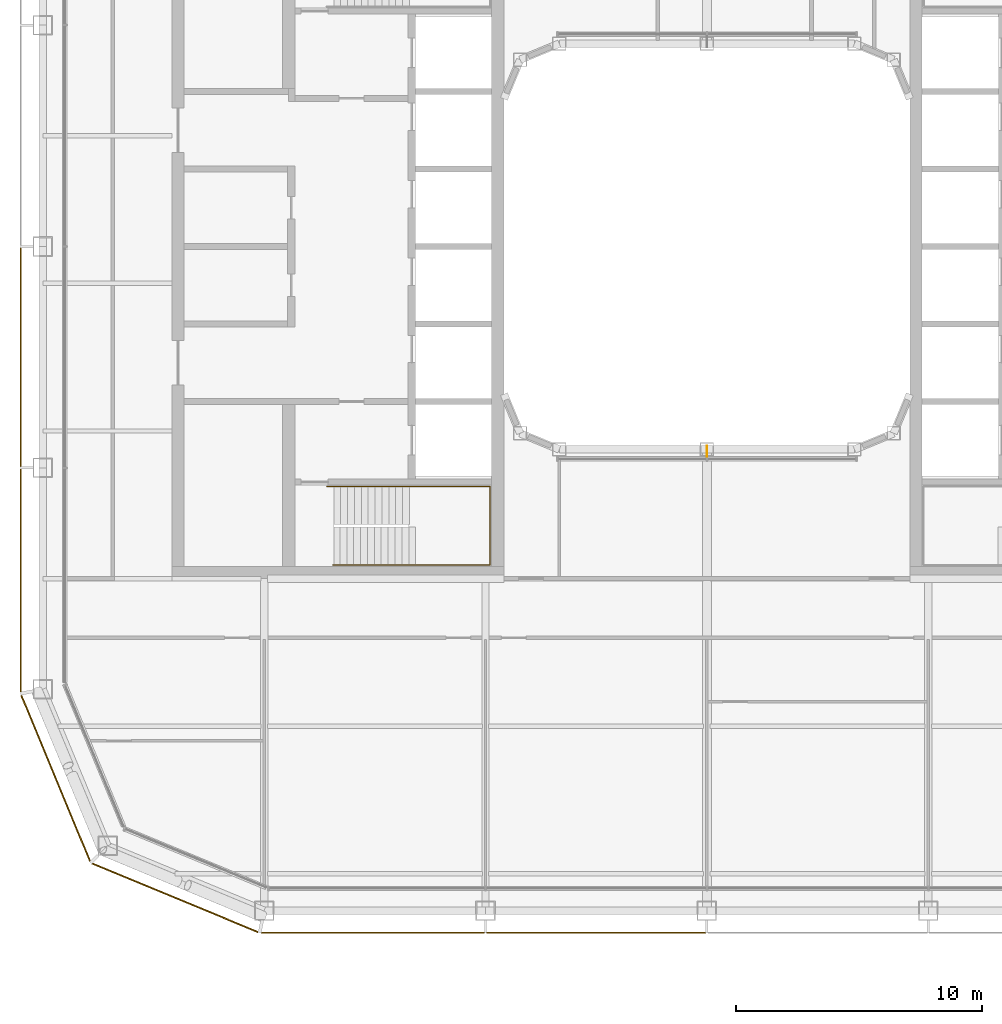
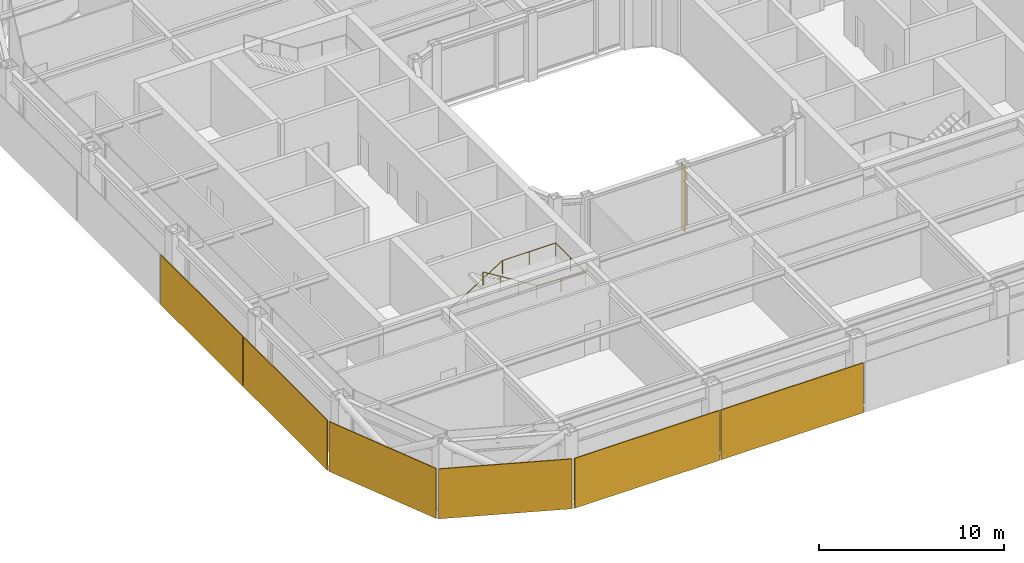
# One storey, part 18 of 22: 6 coverings, 1 railing, 1 shading device.
"""IFC4 building model written with IfcOpenShell, lengths in metres."""

from ifc_helpers import new_model, si_unit, direction, frame, origin, origin_2d, place, context, subcontext, project, spatial, rectangle, circle, extrude, material, layer, layer_set, type_object, element, save


model = new_model("IFC4")

# Units and contexts
model_context = context("Model", 3, precision=1e-05, world=origin(), true_north=direction((0.0, 1.0)))
body_context = subcontext(model_context, "Body", "Model", "MODEL_VIEW")
ifc_project = project(units=[si_unit("LENGTHUNIT", "METRE"), si_unit("AREAUNIT", "SQUARE_METRE"), si_unit("VOLUMEUNIT", "CUBIC_METRE"), si_unit("PLANEANGLEUNIT", "RADIAN"), si_unit("MASSUNIT", "GRAM", prefix="KILO")], contexts=[model_context])

# Site, building, storey
site_placement = place(None, origin())
site = spatial("IfcSite", under=ifc_project, at=site_placement, CompositionType="ELEMENT")
building_placement = place(site_placement, origin())
building = spatial("IfcBuilding", under=site, at=building_placement, Name="Siwar Civic Tower", CompositionType="ELEMENT")
storey_placement = place(building_placement, frame((0.0, 0.0, 255.699951171875)))
storey = spatial("IfcBuildingStorey", under=building, at=storey_placement, Name="L55", CompositionType="ELEMENT", Elevation=255.699951171875)

# Railing
ifc_material_1 = material(Name="Stainless steel", Category="steel")
railing_type = type_object("IfcRailingType", Name="CORE-STAIR-HANDRAIL", PredefinedType="HANDRAIL", material=ifc_material_1)
railing_placement = place(storey_placement, frame((-15.449951171875, -9.758056640625, 0.173095703125)))
element("IfcRailing", 1, at=railing_placement, inside=storey, type_object=railing_type, Name="Stair handrail ST2", PredefinedType="HANDRAIL", context=body_context, shape_type="SweptSolid", body=[
    extrude(circle(Radius=0.02001953125, at=origin_2d()), frame((0.0, 0.0, 0.8798828125), z_axis=(0.847063342986, 0.0, 0.531491950051), x_axis=(0.0, 1.0, 0.0)), (0.0, 0.0, 1.0), 3.90771484375),
    extrude(circle(Radius=0.02001953125, at=origin_2d()), frame((3.31005859375, 0.0, 2.956787109375), z_axis=(1.0, 0.0, 0.0), x_axis=(0.0, 1.0, 0.0)), (0.0, 0.0, 1.0), 3.331787109375),
    extrude(circle(Radius=0.02001953125, at=origin_2d()), frame((6.641845703125, 0.0, 2.956787109375), z_axis=(0.0, -1.0, 0.0), x_axis=(1.0, 0.0, 0.0)), (0.0, 0.0, 1.0), 3.183837890625),
    extrude(circle(Radius=0.02001953125, at=origin_2d()), frame((6.641845703125, -3.183837890625, 2.956787109375), z_axis=(-0.99837434197, 0.0, 0.056997134106), x_axis=(0.0, -1.0, 0.0)), (0.0, 0.0, 1.0), 3.036865234375),
    extrude(circle(Radius=0.02001953125, at=origin_2d()), frame((3.60986328125, -3.183837890625, 3.1298828125), z_axis=(-0.850606129759, 0.0, 0.525803396734), x_axis=(0.0, -1.0, 0.0)), (0.0, 0.0, 1.0), 3.949951171875),
    extrude(circle(Radius=0.02001953125, at=origin_2d()), origin(), (0.0, 0.0, 1.0), 0.85986328125),
    extrude(circle(Radius=0.02001953125, at=origin_2d()), frame((1.103271484375, 0.0, 0.6923828125)), (0.0, 0.0, 1.0), 0.85986328125),
    extrude(circle(Radius=0.02001953125, at=origin_2d()), frame((2.206787109375, 0.0, 1.384521484375)), (0.0, 0.0, 1.0), 0.85986328125),
    extrude(circle(Radius=0.02001953125, at=origin_2d()), frame((3.31005859375, 0.0, 2.076904296875)), (0.0, 0.0, 1.0), 0.85986328125),
    extrude(circle(Radius=0.02001953125, at=origin_2d()), frame((4.97607421875, 0.0, 2.076904296875)), (0.0, 0.0, 1.0), 0.85986328125),
    extrude(circle(Radius=0.02001953125, at=origin_2d()), frame((6.641845703125, 0.0, 2.076904296875)), (0.0, 0.0, 1.0), 0.85986328125),
    extrude(circle(Radius=0.02001953125, at=origin_2d()), frame((6.641845703125, -1.591796875, 2.076904296875)), (0.0, 0.0, 1.0), 0.85986328125),
    extrude(circle(Radius=0.02001953125, at=origin_2d()), frame((6.641845703125, -3.183837890625, 2.076904296875)), (0.0, 0.0, 1.0), 0.85986328125),
    extrude(circle(Radius=0.02001953125, at=origin_2d()), frame((5.1259765625, -3.183837890625, 2.16357421875)), (0.0, 0.0, 1.0), 0.85986328125),
    extrude(circle(Radius=0.02001953125, at=origin_2d()), frame((3.60986328125, -3.183837890625, 2.25)), (0.0, 0.0, 1.0), 0.85986328125),
    extrude(circle(Radius=0.02001953125, at=origin_2d()), frame((2.489990234375, -3.183837890625, 2.9423828125)), (0.0, 0.0, 1.0), 0.85986328125),
    extrude(circle(Radius=0.02001953125, at=origin_2d()), frame((1.369873046875, -3.183837890625, 3.634521484375)), (0.0, 0.0, 1.0), 0.85986328125),
    extrude(circle(Radius=0.02001953125, at=origin_2d()), frame((0.25, -3.183837890625, 4.326904296875)), (0.0, 0.0, 1.0), 0.85986328125),
])

# Shading device
ifc_material_2 = material(Name="Aluminium 6063-T6", Category="aluminium")
ifc_layer_1 = layer(ifc_material_2, 0.02001953125)
ifc_layer_set_1 = layer_set([ifc_layer_1], Name="Aluminium 6063-T6")
shading_device_type = type_object("IfcShadingDeviceType", Name="ENV-FIN", PredefinedType="JALOUSIE", material=ifc_layer_set_1)
shading_device_placement = place(storey_placement, frame((0.0, -8.320068359375, 0.0), z_axis=(0.0, 0.0, 1.0), x_axis=(1.0, 0.0, 0.0)))
element("IfcShadingDevice", 2, at=shading_device_placement, inside=storey, type_object=shading_device_type, Name="SUNSHADE fin WS 1", PredefinedType="JALOUSIE", context=body_context, shape_type="SweptSolid", body=[
    extrude(rectangle(XDim=0.02001953125, YDim=0.449951171875, at=origin_2d()), origin(), (0.0, 0.0, 1.0), 4.35009765625),
])

# Coverings
ifc_material_3 = material(Name="Perforated aluminium cassette, pale metal", Category="aluminium")
ifc_layer_2 = layer(ifc_material_3, 0.050048828125)
ifc_layer_set_2 = layer_set([ifc_layer_2], Name="Perforated aluminium cassette, pale metal")
covering_type_1 = type_object("IfcCoveringType", Name="ENV-OUTER SKIN OS-3", PredefinedType="CLADDING", material=ifc_layer_set_2)
covering_1_placement = place(storey_placement, frame((-27.89990234375, -4.5, -0.14990234375), z_axis=(0.0, 0.0, 1.0), x_axis=(0.0, -1.0, 0.0)))
element("IfcCovering", 3, at=covering_1_placement, inside=storey, type_object=covering_type_1, Name="OUTER SKIN OS-3 W 3", PredefinedType="CLADDING", context=body_context, shape_type="SweptSolid", body=[
    extrude(rectangle(XDim=8.89990234375, YDim=0.050048828125, at=origin_2d()), origin(), (0.0, 0.0, 1.0), 3.300048828125),
])
covering_2_placement = place(storey_placement, frame((-27.89990234375, -13.57958984375, -0.14990234375), z_axis=(0.0, 0.0, 1.0), x_axis=(0.0, -1.0, 0.0)))
element("IfcCovering", 4, at=covering_2_placement, inside=storey, type_object=covering_type_1, Name="OUTER SKIN OS-3 W 4", PredefinedType="CLADDING", context=body_context, shape_type="SweptSolid", body=[
    extrude(rectangle(XDim=9.05908203125, YDim=0.050048828125, at=origin_2d()), origin(), (0.0, 0.0, 1.0), 3.300048828125),
])
ifc_material_4 = material(Name="Perforated aluminium cassette, pale metal", Category="aluminium")
ifc_layer_3 = layer(ifc_material_4, 0.054931640625)
ifc_layer_set_3 = layer_set([ifc_layer_3], Name="Perforated aluminium cassette, pale metal")
covering_type_2 = type_object("IfcCoveringType", Name="ENV-OUTER SKIN OS-4", PredefinedType="CLADDING", material=ifc_layer_set_3)
covering_3_placement = place(storey_placement, frame((-13.57958984375, -27.89990234375, -0.14990234375), z_axis=(0.0, 0.0, 1.0), x_axis=(1.0, 0.0, 0.0)))
element("IfcCovering", 5, at=covering_3_placement, inside=storey, type_object=covering_type_2, Name="OUTER SKIN OS-4 S 1", PredefinedType="CLADDING", context=body_context, shape_type="SweptSolid", body=[
    extrude(rectangle(XDim=9.05908203125, YDim=0.054931640625, at=origin_2d()), origin(), (0.0, 0.0, 1.0), 3.300048828125),
])
covering_4_placement = place(storey_placement, frame((-4.5, -27.89990234375, -0.14990234375), z_axis=(0.0, 0.0, 1.0), x_axis=(1.0, 0.0, 0.0)))
element("IfcCovering", 6, at=covering_4_placement, inside=storey, type_object=covering_type_2, Name="OUTER SKIN OS-4 S 2", PredefinedType="CLADDING", context=body_context, shape_type="SweptSolid", body=[
    extrude(rectangle(XDim=8.89990234375, YDim=0.054931640625, at=origin_2d()), origin(), (0.0, 0.0, 1.0), 3.300048828125),
])
for number, where, z_axis, x_axis, name in (
    (7, (-26.476318359375, -21.615966796875, -0.14990234375), (0.0, 0.0, 1.0), (0.382683432365, -0.923879532511, 0.0), "OUTER SKIN OS-4 SW1 1"),
    (8, (-21.615966796875, -26.476318359375, -0.14990234375), (0.0, 0.0, 1.0), (0.923879532511, -0.382683432365, 0.0), "OUTER SKIN OS-4 SW2 1"),
):
    element("IfcCovering", number, at=place(storey_placement, frame(where, z_axis=z_axis, x_axis=x_axis)), inside=storey, type_object=covering_type_2, Name=name, PredefinedType="CLADDING", context=body_context, shape_type="SweptSolid", body=[
        extrude(rectangle(XDim=7.300048828125, YDim=0.054931640625, at=origin_2d()), origin(), (0.0, 0.0, 1.0), 3.300048828125),
    ])

save(model, "model.ifc")
